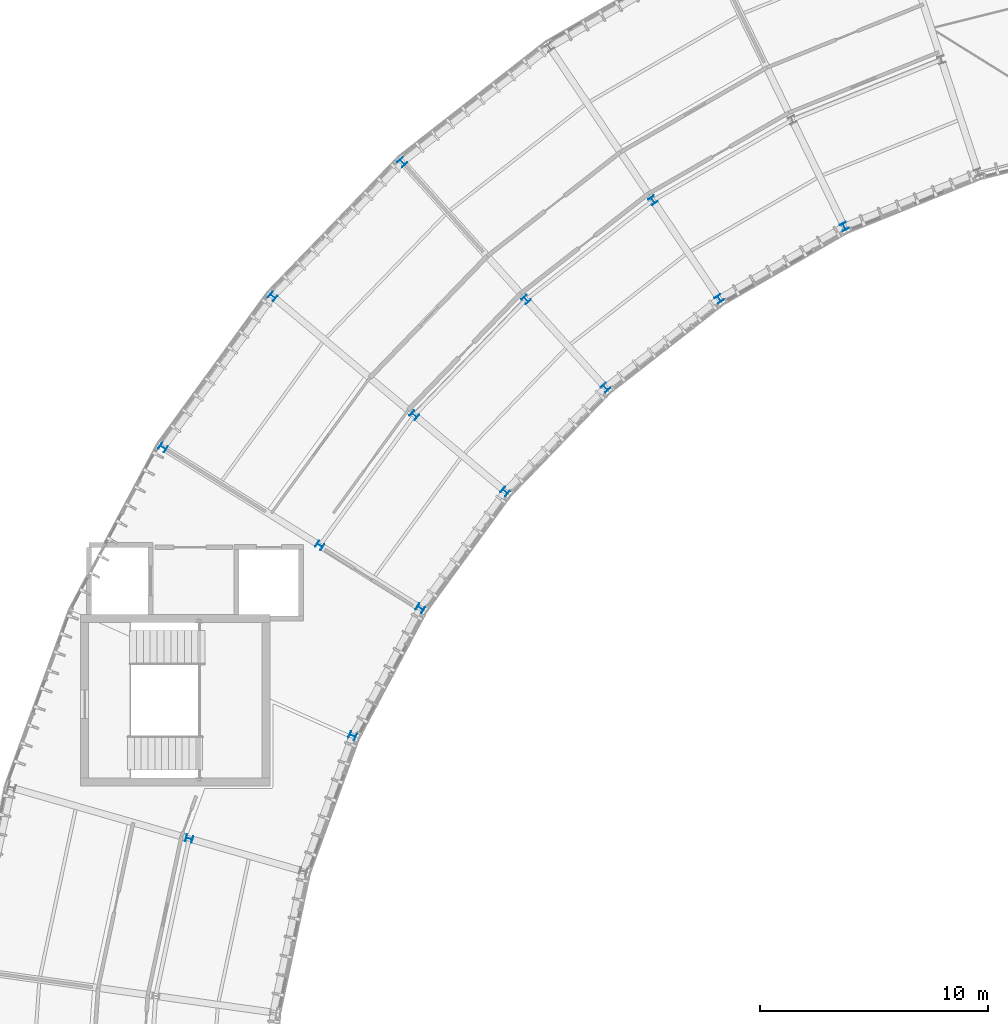
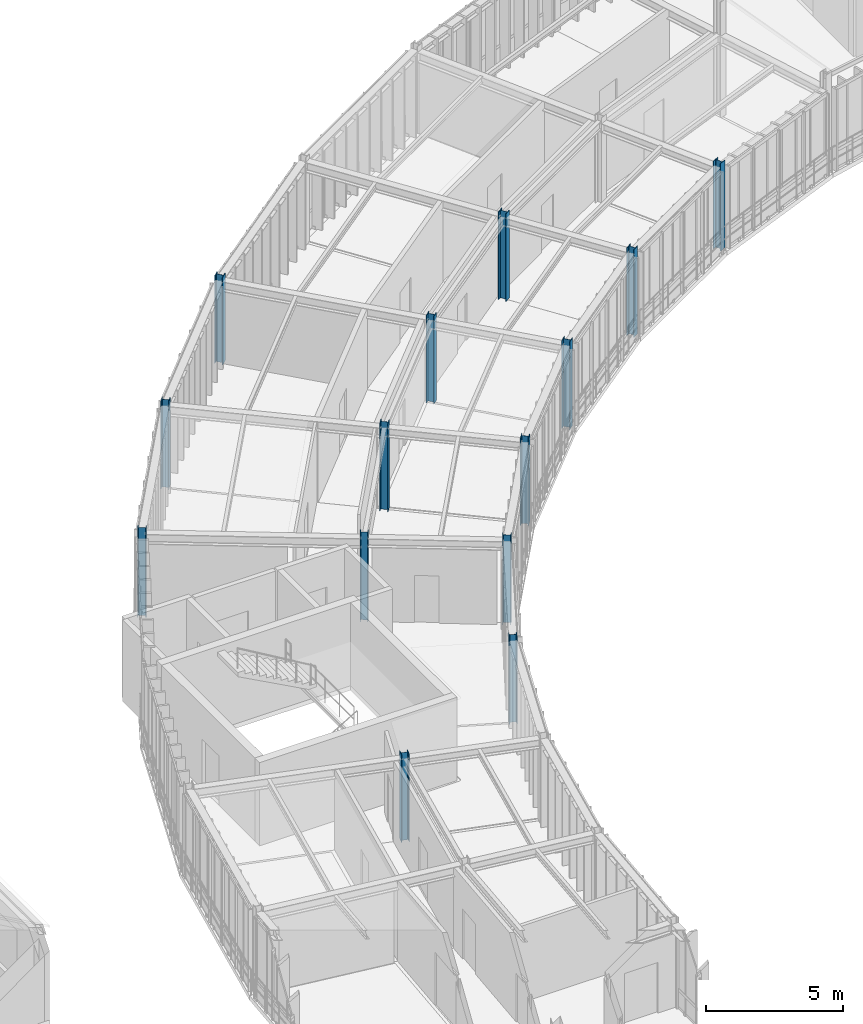
# One storey, part 3 of 42: 14 columns.
"""IFC4 building model written with IfcOpenShell, lengths in metres."""

from ifc_helpers import new_model, si_unit, direction, frame, origin, origin_2d, place, context, subcontext, project, spatial, i_section, extrude, material, material_profile, profile_set, type_object, element, save


model = new_model("IFC4")

# Units and contexts
model_context = context("Model", 3, precision=1e-05, world=origin(), true_north=direction((0.0, 1.0)))
body_context = subcontext(model_context, "Body", "Model", "MODEL_VIEW")
ifc_project = project(units=[si_unit("LENGTHUNIT", "METRE"), si_unit("AREAUNIT", "SQUARE_METRE"), si_unit("VOLUMEUNIT", "CUBIC_METRE"), si_unit("PLANEANGLEUNIT", "RADIAN"), si_unit("MASSUNIT", "GRAM", prefix="KILO"), si_unit("THERMODYNAMICTEMPERATUREUNIT", "KELVIN"), si_unit("POWERUNIT", "WATT")], contexts=[model_context])

# Site, building, storey
site_placement = place(None, origin())
site = spatial("IfcSite", under=ifc_project, at=site_placement, CompositionType="ELEMENT")
building_placement = place(site_placement, origin())
building = spatial("IfcBuilding", under=site, at=building_placement, Name="Solvatero Civic Police Headquarters", CompositionType="ELEMENT")
storey_placement = place(building_placement, frame((0.0, 0.0, 21.60009765625)))
storey = spatial("IfcBuildingStorey", under=building, at=storey_placement, Name="L05", CompositionType="ELEMENT", Elevation=21.60009765625)

# Columns
ifc_material = material(Name="Steel S355", Category="steel")
ifc_material_profile_1 = material_profile(ifc_material, i_section(OverallWidth=0.300048828125, OverallDepth=0.300048828125, WebThickness=0.010986328125, FlangeThickness=0.01904296875, FilletRadius=0.027099609375, at=origin_2d()), Name="HEB 300")
ifc_profile_set_1 = profile_set([ifc_material_profile_1], Name="Steel S355")
column_type_1 = type_object("IfcColumnType", Name="COL-ST-HEB300", PredefinedType="COLUMN", material=ifc_profile_set_1)
for number, where, z_axis, x_axis, name in (
    (1, (68.640625, 63.596923828125, 0.0), (0.0, 0.0, 1.0), (0.829037572555, 0.559192903471, 0.0), "Column ARC-S05-IN L05"),
    (2, (60.17529296875, 63.56591796875, 0.0), (0.0, 0.0, 1.0), (0.743144825477, 0.669130606359, 0.0), "Column ARC-S06-MID L05"),
    (3, (59.260009765625, 55.150390625, 0.0), (0.0, 0.0, 1.0), (0.642787609687, 0.766044443119, 0.0), "Column ARC-S07-IN L05"),
    (4, (49.071533203125, 63.699462890625, 0.0), (0.0, 0.0, 1.0), (0.642787609687, 0.766044443119, 0.0), "Column ARC-S07-OUT L05"),
    (5, (51.131103515625, 52.787353515625, 0.0), (0.0, 0.0, 1.0), (0.529919264233, 0.848048096156, 0.0), "Column ARC-S08-MID L05"),
    (6, (52.57080078125, 44.445556640625, 0.0), (0.0, 0.0, 1.0), (0.406736643076, 0.913545457643, 0.0), "Column ARC-S09-IN L05"),
    (7, (45.408203125, 39.93359375, 0.0), (0.0, 0.0, 1.0), (0.275637355817, 0.961261695938, 0.0), "Column ARC-S10-MID L05"),
):
    element("IfcColumn", number, at=place(storey_placement, frame(where, z_axis=z_axis, x_axis=x_axis)), inside=storey, type_object=column_type_1, Name=name, PredefinedType="COLUMN", context=body_context, shape_type="SweptSolid", body=[
        extrude(i_section(OverallWidth=0.300048828125, OverallDepth=0.300048828125, WebThickness=0.010986328125, FlangeThickness=0.01904296875, FilletRadius=0.027099609375, at=origin_2d()), origin(), (0.0, 0.0, 1.0), 3.89990234375),
    ])
ifc_material_profile_2 = material_profile(ifc_material, i_section(OverallWidth=0.300048828125, OverallDepth=0.320068359375, WebThickness=0.011474609375, FlangeThickness=0.0205078125, FilletRadius=0.027099609375, at=origin_2d()), Name="HEB 320")
ifc_profile_set_2 = profile_set([ifc_material_profile_2], Name="Steel S355")
column_type_2 = type_object("IfcColumnType", Name="COL-ST-HEB320", PredefinedType="COLUMN", material=ifc_profile_set_2)
for number, where, z_axis, x_axis, name in (
    (8, (74.119873046875, 66.76025390625, 0.0), (0.0, 0.0, 1.0), (0.898794046299, 0.438371146789, 0.0), "Column ARC-S04-IN L05"),
    (9, (65.73291015625, 67.90771484375, 0.0), (0.0, 0.0, 1.0), (0.829037572555, 0.559192903471, 0.0), "Column ARC-S05-MID L05"),
    (10, (63.65478515625, 59.70166015625, 0.0), (0.0, 0.0, 1.0), (0.743144825477, 0.669130606359, 0.0), "Column ARC-S06-IN L05"),
    (11, (54.755615234375, 69.58544921875, 0.0), (0.0, 0.0, 1.0), (0.743144825477, 0.669130606359, 0.0), "Column ARC-S06-OUT L05"),
    (12, (55.276611328125, 58.492919921875, 0.0), (0.0, 0.0, 1.0), (0.642787609687, 0.766044443119, 0.0), "Column ARC-S07-MID L05"),
    (13, (55.541015625, 50.03173828125, 0.0), (0.0, 0.0, 1.0), (0.529919264233, 0.848048096156, 0.0), "Column ARC-S08-IN L05"),
    (14, (44.261962890625, 57.079833984375, 0.0), (0.0, 0.0, 1.0), (0.529919264233, 0.848048096156, 0.0), "Column ARC-S08-OUT L05"),
):
    element("IfcColumn", number, at=place(storey_placement, frame(where, z_axis=z_axis, x_axis=x_axis)), inside=storey, type_object=column_type_2, Name=name, PredefinedType="COLUMN", context=body_context, shape_type="SweptSolid", body=[
        extrude(i_section(OverallWidth=0.300048828125, OverallDepth=0.320068359375, WebThickness=0.011474609375, FlangeThickness=0.0205078125, FilletRadius=0.027099609375, at=origin_2d()), origin(), (0.0, 0.0, 1.0), 3.89990234375),
    ])

save(model, "model.ifc")
